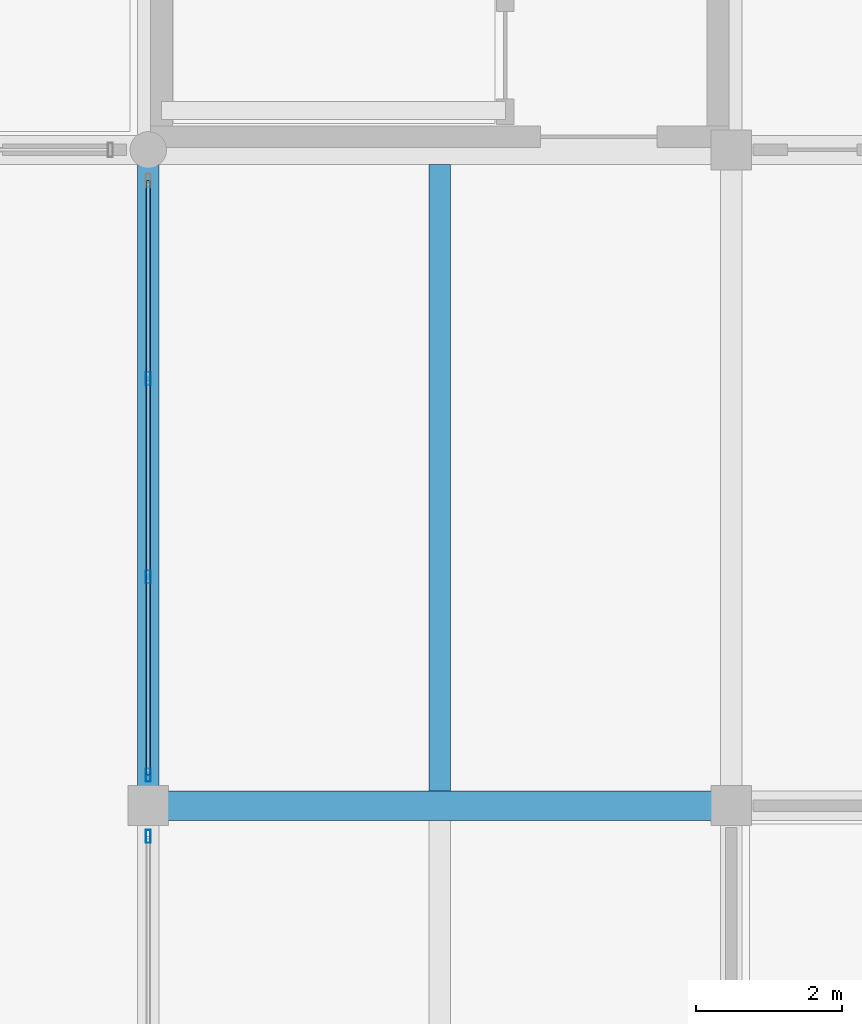
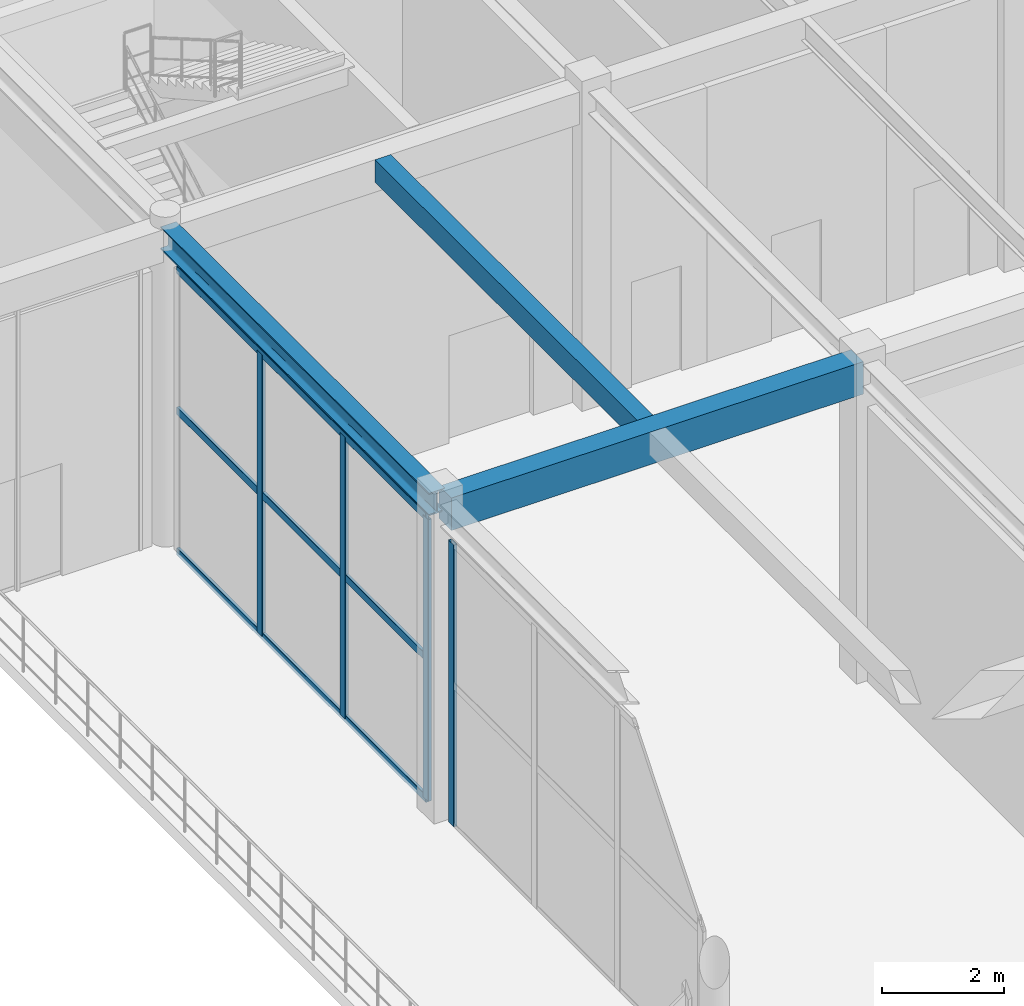
# One storey, part 90 of 163: 7 members, 3 beams, 2 elements without a shape of their own.
"""IFC4 building model written with IfcOpenShell, lengths in metres."""

from ifc_helpers import new_model, si_unit, direction, frame, origin, origin_2d, place, context, subcontext, project, spatial, rectangle, hollow_rectangle, i_section, extrude, material, material_profile, profile_set, type_object, element, aggregate, save


model = new_model("IFC4")

# Units and contexts
model_context = context("Model", 3, precision=1e-05, world=origin(), true_north=direction((0.0, 1.0)))
body_context = subcontext(model_context, "Body", "Model", "MODEL_VIEW")
ifc_project = project(units=[si_unit("LENGTHUNIT", "METRE"), si_unit("AREAUNIT", "SQUARE_METRE"), si_unit("VOLUMEUNIT", "CUBIC_METRE"), si_unit("PLANEANGLEUNIT", "RADIAN"), si_unit("MASSUNIT", "GRAM", prefix="KILO")], contexts=[model_context])

# Site, building, storey
site_placement = place(None, origin())
site = spatial("IfcSite", under=ifc_project, at=site_placement, CompositionType="ELEMENT")
building_placement = place(site_placement, origin())
building = spatial("IfcBuilding", under=site, at=building_placement, Name="Varnabhumi Central Station", CompositionType="ELEMENT")
storey_placement = place(building_placement, frame((0.0, 0.0, 9.60009765625)))
storey = spatial("IfcBuildingStorey", under=building, at=storey_placement, Name="L02", CompositionType="ELEMENT", Elevation=9.60009765625)

# Beams
ifc_material_1 = material(Name="Concrete M40", Category="concrete")
ifc_material_profile_1 = material_profile(ifc_material_1, rectangle(XDim=0.300048828125, YDim=0.449951171875, at=origin_2d()), Name="Concrete M40", Category="concrete")
ifc_profile_set_1 = profile_set([ifc_material_profile_1], Name="Concrete M40")
beam_type_1 = type_object("IfcBeamType", Name="BM-RC-300x450", PredefinedType="JOIST", material=ifc_profile_set_1)
beam_1_placement = place(storey_placement, frame((84.0, 98.199951171875, 6.125), z_axis=(0.0, 1.0, 0.0), x_axis=(-1.0, 0.0, 0.0)))
element("IfcBeam", 1, at=beam_1_placement, inside=storey, type_object=beam_type_1, Name="Secondary Joist L02-11/12:M-N", PredefinedType="JOIST", context=body_context, shape_type="SweptSolid", body=[
    extrude(rectangle(XDim=0.300048828125, YDim=0.449951171875, at=origin_2d()), origin(), (0.0, 0.0, 1.0), 8.60009765625),
])
ifc_material_profile_2 = material_profile(ifc_material_1, rectangle(XDim=0.39990234375, YDim=0.64990234375, at=origin_2d()), Name="Concrete M40", Category="concrete")
ifc_profile_set_2 = profile_set([ifc_material_profile_2], Name="Concrete M40")
beam_type_2 = type_object("IfcBeamType", Name="BM-RC-400x650", PredefinedType="BEAM", material=ifc_profile_set_2)
beam_2_placement = place(storey_placement, frame((80.10009765625, 98.0, 6.02490234375), z_axis=(1.0, 0.0, 0.0), x_axis=(0.0, 1.0, 0.0)))
element("IfcBeam", 2, at=beam_2_placement, inside=storey, type_object=beam_type_2, Name="Beam L02-M:11-12", PredefinedType="BEAM", context=body_context, shape_type="SweptSolid", body=[
    extrude(rectangle(XDim=0.39990234375, YDim=0.64990234375, at=origin_2d()), origin(), (0.0, 0.0, 1.0), 7.7998046875),
])
ifc_material_2 = material(Name="Structural steel E350", Category="steel")
ifc_material_profile_3 = material_profile(ifc_material_2, i_section(OverallWidth=0.300048828125, OverallDepth=0.449951171875, WebThickness=0.013916015625, FlangeThickness=0.02587890625, FilletRadius=0.027099609375, at=origin_2d()), Name="Structural steel E350", Category="steel")
ifc_profile_set_3 = profile_set([ifc_material_profile_3], Name="Structural steel E350")
beam_type_3 = type_object("IfcBeamType", Name="BM-STL-WPB450", PredefinedType="BEAM", material=ifc_profile_set_3)
beam_3_placement = place(storey_placement, frame((80.0, 98.10009765625, 6.125), z_axis=(0.0, 1.0, 0.0), x_axis=(-1.0, 0.0, 0.0)))
element("IfcBeam", 3, at=beam_3_placement, inside=storey, type_object=beam_type_3, Name="Beam L02-11:M-N", PredefinedType="BEAM", context=body_context, shape_type="SweptSolid", body=[
    extrude(i_section(OverallWidth=0.300048828125, OverallDepth=0.449951171875, WebThickness=0.013916015625, FlangeThickness=0.02587890625, FilletRadius=0.027099609375, at=origin_2d()), origin(), (0.0, 0.0, 1.0), 8.7998046875),
])

# Curtain wall, member
ifc_material_3 = material(Name="Anodised aluminium 6063-T6", Category="aluminium")
curtain_wall_type = type_object("IfcCurtainWallType", Name="CW-PATIO-LOGGIA-L2", PredefinedType="NOTDEFINED", material=ifc_material_3)
curtain_wall_1_placement = place(storey_placement, origin())
curtain_wall_1 = element("IfcCurtainWall", 4, at=curtain_wall_1_placement, inside=storey, type_object=curtain_wall_type, Name="Curtain Wall CW-NP2W1", PredefinedType="NOTDEFINED")
ifc_material_profile_4 = material_profile(ifc_material_3, hollow_rectangle(XDim=0.06494140625, YDim=0.179931640625, WallThickness=0.00390625, InnerFilletRadius=0.001953125, OuterFilletRadius=0.006103515625, at=origin_2d()), Name="Anodised aluminium 6063-T6", Category="aluminium")
ifc_profile_set_4 = profile_set([ifc_material_profile_4], Name="Anodised aluminium 6063-T6")
member_type_1 = type_object("IfcMemberType", Name="CW-MUL-180", PredefinedType="MULLION", material=ifc_profile_set_4)
member_1_placement = place(storey_placement, frame((80.0, 97.580078125, 0.0), z_axis=(0.0, 0.0, 1.0), x_axis=(1.0, 0.0, 0.0)))
member_1 = element("IfcMember", 5, at=member_1_placement, type_object=member_type_1, Name="Curtain Wall Mullion CW-NP2W1-M4", PredefinedType="MULLION", context=body_context, shape_type="SweptSolid", body=[
    extrude(hollow_rectangle(XDim=0.06494140625, YDim=0.179931640625, WallThickness=0.00390625, InnerFilletRadius=0.001953125, OuterFilletRadius=0.006103515625, at=origin_2d()), origin(), (0.0, 0.0, 1.0), 5.639892578125),
])
aggregate(curtain_wall_1, [member_1])

# Curtain wall, members
curtain_wall_2_placement = place(storey_placement, origin())
curtain_wall_2 = element("IfcCurtainWall", 6, at=curtain_wall_2_placement, inside=storey, type_object=curtain_wall_type, Name="Curtain Wall CW-NP2W2", PredefinedType="NOTDEFINED")
member_2_placement = place(storey_placement, frame((80.0, 98.419921875, 0.0), z_axis=(0.0, 0.0, 1.0), x_axis=(1.0, 0.0, 0.0)))
member_2 = element("IfcMember", 7, at=member_2_placement, type_object=member_type_1, Name="Curtain Wall Mullion CW-NP2W2-M1", PredefinedType="MULLION", context=body_context, shape_type="SweptSolid", body=[
    extrude(hollow_rectangle(XDim=0.06494140625, YDim=0.179931640625, WallThickness=0.00390625, InnerFilletRadius=0.001953125, OuterFilletRadius=0.006103515625, at=origin_2d()), origin(), (0.0, 0.0, 1.0), 5.639892578125),
])
member_3_placement = place(storey_placement, frame((80.0, 101.139892578125, 0.0), z_axis=(0.0, 0.0, 1.0), x_axis=(1.0, 0.0, 0.0)))
member_3 = element("IfcMember", 8, at=member_3_placement, type_object=member_type_1, Name="Curtain Wall Mullion CW-NP2W2-M2", PredefinedType="MULLION", context=body_context, shape_type="SweptSolid", body=[
    extrude(hollow_rectangle(XDim=0.06494140625, YDim=0.179931640625, WallThickness=0.00390625, InnerFilletRadius=0.001953125, OuterFilletRadius=0.006103515625, at=origin_2d()), origin(), (0.0, 0.0, 1.0), 5.639892578125),
])
member_4_placement = place(storey_placement, frame((80.0, 103.860107421875, 0.0), z_axis=(0.0, 0.0, 1.0), x_axis=(1.0, 0.0, 0.0)))
member_4 = element("IfcMember", 9, at=member_4_placement, type_object=member_type_1, Name="Curtain Wall Mullion CW-NP2W2-M3", PredefinedType="MULLION", context=body_context, shape_type="SweptSolid", body=[
    extrude(hollow_rectangle(XDim=0.06494140625, YDim=0.179931640625, WallThickness=0.00390625, InnerFilletRadius=0.001953125, OuterFilletRadius=0.006103515625, at=origin_2d()), origin(), (0.0, 0.0, 1.0), 5.639892578125),
])
ifc_material_profile_5 = material_profile(ifc_material_3, hollow_rectangle(XDim=0.06005859375, YDim=0.14990234375, WallThickness=0.00390625, InnerFilletRadius=0.001953125, OuterFilletRadius=0.006103515625, at=origin_2d()), Name="Anodised aluminium 6063-T6", Category="aluminium")
ifc_profile_set_5 = profile_set([ifc_material_profile_5], Name="Anodised aluminium 6063-T6")
member_type_2 = type_object("IfcMemberType", Name="CW-TR-150", PredefinedType="USERDEFINED", material=ifc_profile_set_5)
member_5_placement = place(storey_placement, frame((80.0, 98.419921875, 0.0), z_axis=(0.0, 1.0, 0.0), x_axis=(-1.0, 0.0, 0.0)))
member_5 = element("IfcMember", 10, at=member_5_placement, type_object=member_type_2, Name="Curtain Wall Transom CW-NP2W2-T1", ObjectType="TRANSOM", PredefinedType="USERDEFINED", context=body_context, shape_type="SweptSolid", body=[
    extrude(hollow_rectangle(XDim=0.06005859375, YDim=0.14990234375, WallThickness=0.00390625, InnerFilletRadius=0.001953125, OuterFilletRadius=0.006103515625, at=origin_2d()), origin(), (0.0, 0.0, 1.0), 8.16015625),
])
member_6_placement = place(storey_placement, frame((80.0, 98.419921875, 2.81982421875), z_axis=(0.0, 1.0, 0.0), x_axis=(-1.0, 0.0, 0.0)))
member_6 = element("IfcMember", 11, at=member_6_placement, type_object=member_type_2, Name="Curtain Wall Transom CW-NP2W2-T2", ObjectType="TRANSOM", PredefinedType="USERDEFINED", context=body_context, shape_type="SweptSolid", body=[
    extrude(hollow_rectangle(XDim=0.06005859375, YDim=0.14990234375, WallThickness=0.00390625, InnerFilletRadius=0.001953125, OuterFilletRadius=0.006103515625, at=origin_2d()), origin(), (0.0, 0.0, 1.0), 8.16015625),
])
member_7_placement = place(storey_placement, frame((80.0, 98.419921875, 5.639892578125), z_axis=(0.0, 1.0, 0.0), x_axis=(-1.0, 0.0, 0.0)))
member_7 = element("IfcMember", 12, at=member_7_placement, type_object=member_type_2, Name="Curtain Wall Transom CW-NP2W2-T3", ObjectType="TRANSOM", PredefinedType="USERDEFINED", context=body_context, shape_type="SweptSolid", body=[
    extrude(hollow_rectangle(XDim=0.06005859375, YDim=0.14990234375, WallThickness=0.00390625, InnerFilletRadius=0.001953125, OuterFilletRadius=0.006103515625, at=origin_2d()), origin(), (0.0, 0.0, 1.0), 8.16015625),
])
aggregate(curtain_wall_2, [member_2, member_3, member_4, member_5, member_6, member_7])

save(model, "model.ifc")
